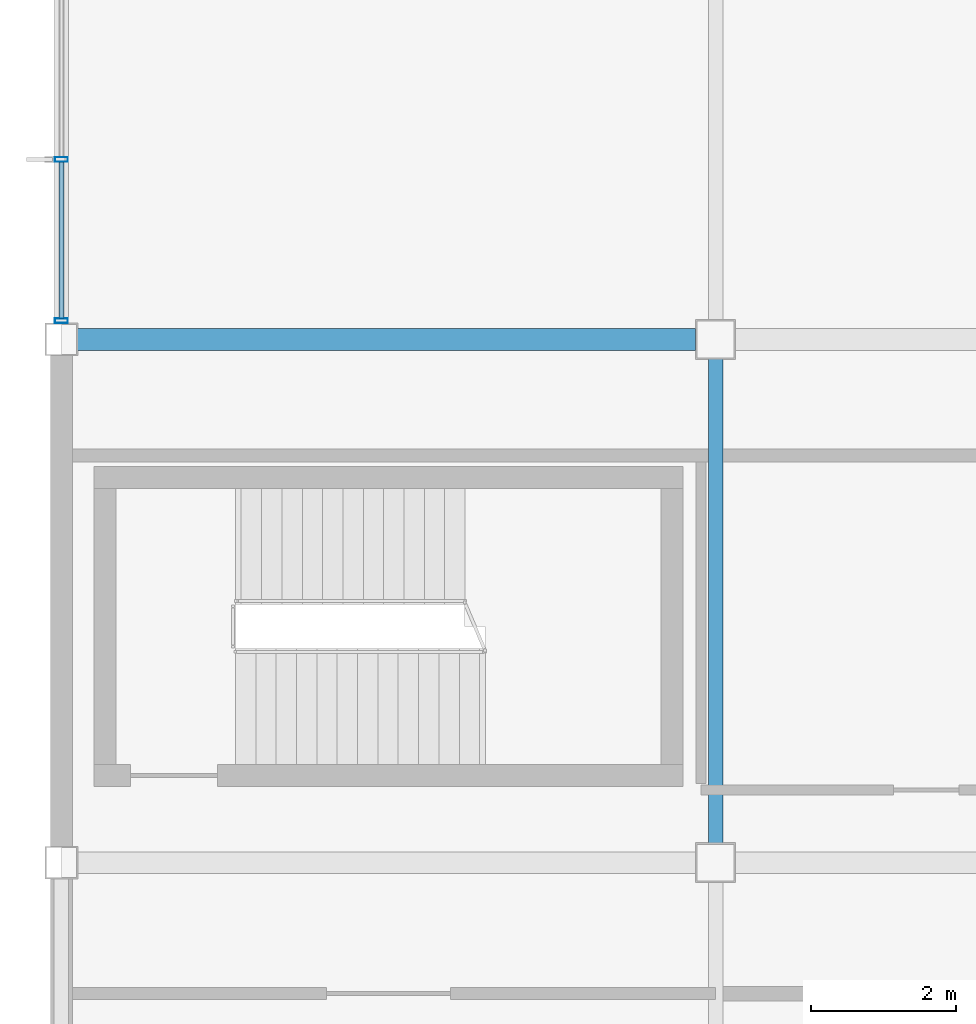
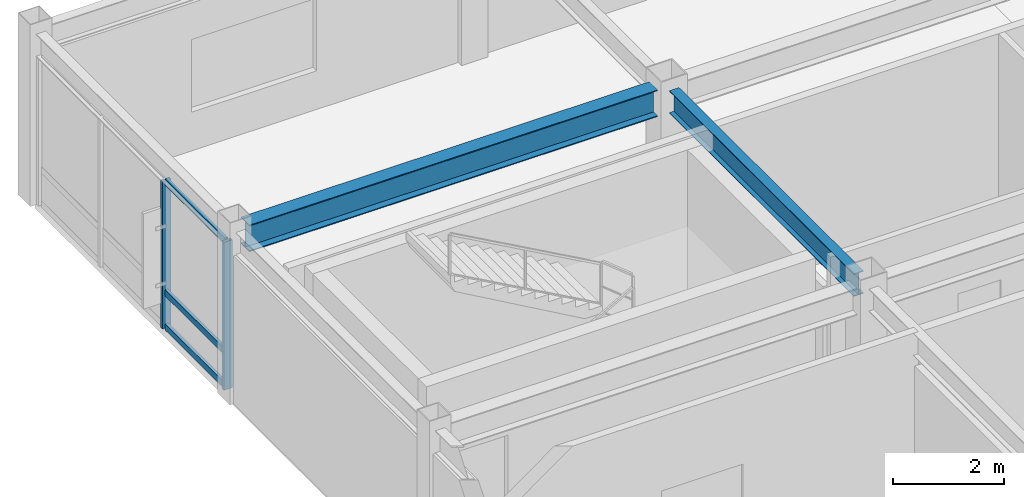
# One storey, part 15 of 122: 5 members, 2 beams, 1 element without a shape of its own.
"""IFC4 building model written with IfcOpenShell, lengths in metres."""

from ifc_helpers import new_model, si_unit, direction, frame, origin, origin_2d, place, context, subcontext, project, spatial, hollow_rectangle, i_section, extrude, material, material_profile, profile_set, type_object, element, aggregate, save


model = new_model("IFC4")

# Units and contexts
model_context = context("Model", 3, precision=1e-05, world=origin(), true_north=direction((0.0, 1.0)))
body_context = subcontext(model_context, "Body", "Model", "MODEL_VIEW")
ifc_project = project(units=[si_unit("LENGTHUNIT", "METRE"), si_unit("AREAUNIT", "SQUARE_METRE"), si_unit("VOLUMEUNIT", "CUBIC_METRE"), si_unit("PLANEANGLEUNIT", "RADIAN"), si_unit("MASSUNIT", "GRAM", prefix="KILO")], contexts=[model_context])

# Site, building, storey
site_placement = place(None, origin())
site = spatial("IfcSite", under=ifc_project, at=site_placement, CompositionType="ELEMENT")
building_placement = place(site_placement, origin())
building = spatial("IfcBuilding", under=site, at=building_placement, Name="Kazanami Central Library", CompositionType="ELEMENT")
storey_placement = place(building_placement, frame((0.0, 0.0, 4.800048828125)))
storey = spatial("IfcBuildingStorey", under=building, at=storey_placement, Name="L02", CompositionType="ELEMENT", Elevation=4.800048828125)

# Beams
ifc_material_1 = material(Name="Steel SN490B (325 MPa)", Category="steel")
ifc_material_profile_1 = material_profile(ifc_material_1, i_section(OverallWidth=0.300048828125, OverallDepth=0.587890625, WebThickness=0.011962890625, FlangeThickness=0.02001953125, at=origin_2d()), Name="H-588x300x12x20")
ifc_profile_set_1 = profile_set([ifc_material_profile_1], Name="Steel SN490B (325 MPa)")
beam_type_1 = type_object("IfcBeamType", Name="BM-G-X2", PredefinedType="BEAM", material=ifc_profile_set_1)
beam_1_placement = place(storey_placement, frame((0.222900390625, 28.800048828125, 3.4609375), z_axis=(1.0, 0.0, 0.0), x_axis=(0.0, 1.0, 0.0)))
element("IfcBeam", 1, at=beam_1_placement, inside=storey, type_object=beam_type_1, Name="Girder G-X2 L02 E/1-2", PredefinedType="BEAM", context=body_context, shape_type="SweptSolid", body=[
    extrude(i_section(OverallWidth=0.300048828125, OverallDepth=0.587890625, WebThickness=0.011962890625, FlangeThickness=0.02001953125, at=origin_2d()), origin(), (0.0, 0.0, 1.0), 8.504150390625),
])
ifc_material_profile_2 = material_profile(ifc_material_1, i_section(OverallWidth=0.199951171875, OverallDepth=0.5, WebThickness=0.010009765625, FlangeThickness=0.01611328125, at=origin_2d()), Name="H-500x200x10x16")
ifc_profile_set_2 = profile_set([ifc_material_profile_2], Name="Steel SN490B (325 MPa)")
beam_type_2 = type_object("IfcBeamType", Name="BM-G-Y2", PredefinedType="BEAM", material=ifc_profile_set_2)
beam_2_placement = place(storey_placement, frame((9.0, 21.873046875, 3.5048828125), z_axis=(0.0, 1.0, 0.0), x_axis=(-1.0, 0.0, 0.0)))
element("IfcBeam", 2, at=beam_2_placement, inside=storey, type_object=beam_type_2, Name="Girder G-Y2 L02 2/D-E", PredefinedType="BEAM", context=body_context, shape_type="SweptSolid", body=[
    extrude(i_section(OverallWidth=0.199951171875, OverallDepth=0.5, WebThickness=0.010009765625, FlangeThickness=0.01611328125, at=origin_2d()), origin(), (0.0, 0.0, 1.0), 6.654052734375),
])

# Curtain wall, members
ifc_material_2 = material(Name="Acid-Etched Low-E Laminated Glass", Category="glass")
curtain_wall_type = type_object("IfcCurtainWallType", Name="CW-6750x3255-M225", PredefinedType="USERDEFINED", material=ifc_material_2)
curtain_wall_placement = place(storey_placement, origin())
curtain_wall = element("IfcCurtainWall", 3, at=curtain_wall_placement, inside=storey, type_object=curtain_wall_type, Name="Unitised Curtain Wall CW-20 L02 W-1-04", ObjectType="UNITISED CURTAIN WALL", PredefinedType="USERDEFINED")
ifc_material_3 = material(Name="Anodised Aluminium A6063-T5", Category="aluminium")
ifc_material_profile_3 = material_profile(ifc_material_3, hollow_rectangle(XDim=0.06494140625, YDim=0.179931640625, WallThickness=0.00390625, at=origin_2d()), Name="ALU-MULL-65x180x4")
ifc_profile_set_3 = profile_set([ifc_material_profile_3], Name="Anodised Aluminium A6063-T5")
member_type_1 = type_object("IfcMemberType", Name="MEM-CW-M2", PredefinedType="MULLION", material=ifc_profile_set_3)
member_1_placement = place(storey_placement, frame((0.0, 29.0576171875, 0.0), z_axis=(0.0, 0.0, 1.0), x_axis=(0.0, 1.0, 0.0)))
member_1 = element("IfcMember", 4, at=member_1_placement, type_object=member_type_1, Name="CW-20 mullion 1", PredefinedType="MULLION", context=body_context, shape_type="SweptSolid", body=[
    extrude(hollow_rectangle(XDim=0.06494140625, YDim=0.179931640625, WallThickness=0.00390625, at=origin_2d()), origin(), (0.0, 0.0, 1.0), 3.2548828125),
])
member_2_placement = place(storey_placement, frame((0.0, 31.27490234375, 0.0), z_axis=(0.0, 0.0, 1.0), x_axis=(0.0, 1.0, 0.0)))
member_2 = element("IfcMember", 5, at=member_2_placement, type_object=member_type_1, Name="CW-20 mullion 2", PredefinedType="MULLION", context=body_context, shape_type="SweptSolid", body=[
    extrude(hollow_rectangle(XDim=0.06494140625, YDim=0.179931640625, WallThickness=0.00390625, at=origin_2d()), origin(), (0.0, 0.0, 1.0), 3.2548828125),
])
ifc_material_profile_4 = material_profile(ifc_material_3, hollow_rectangle(XDim=0.06494140625, YDim=0.139892578125, WallThickness=0.00390625, at=origin_2d()), Name="ALU-TRAN-65x140x4")
ifc_profile_set_4 = profile_set([ifc_material_profile_4], Name="Anodised Aluminium A6063-T5")
member_type_2 = type_object("IfcMemberType", Name="MEM-CW-T2", PredefinedType="USERDEFINED", material=ifc_profile_set_4)
member_3_placement = place(storey_placement, frame((0.0, 29.090087890625, 0.032470703125), z_axis=(0.0, 1.0, 0.0), x_axis=(-1.0, 0.0, 0.0)))
member_3 = element("IfcMember", 6, at=member_3_placement, type_object=member_type_2, Name="CW-20 transom 1.1", ObjectType="TRANSOM", PredefinedType="USERDEFINED", context=body_context, shape_type="SweptSolid", body=[
    extrude(hollow_rectangle(XDim=0.06494140625, YDim=0.139892578125, WallThickness=0.00390625, at=origin_2d()), origin(), (0.0, 0.0, 1.0), 2.15234375),
])
member_4_placement = place(storey_placement, frame((0.0, 29.090087890625, 0.780029296875), z_axis=(0.0, 1.0, 0.0), x_axis=(-1.0, 0.0, 0.0)))
member_4 = element("IfcMember", 7, at=member_4_placement, type_object=member_type_2, Name="CW-20 transom 1.2", ObjectType="TRANSOM", PredefinedType="USERDEFINED", context=body_context, shape_type="SweptSolid", body=[
    extrude(hollow_rectangle(XDim=0.06494140625, YDim=0.139892578125, WallThickness=0.00390625, at=origin_2d()), origin(), (0.0, 0.0, 1.0), 2.15234375),
])
member_5_placement = place(storey_placement, frame((0.0, 29.090087890625, 3.222412109375), z_axis=(0.0, 1.0, 0.0), x_axis=(-1.0, 0.0, 0.0)))
member_5 = element("IfcMember", 8, at=member_5_placement, type_object=member_type_2, Name="CW-20 transom 1.3", ObjectType="TRANSOM", PredefinedType="USERDEFINED", context=body_context, shape_type="SweptSolid", body=[
    extrude(hollow_rectangle(XDim=0.06494140625, YDim=0.139892578125, WallThickness=0.00390625, at=origin_2d()), origin(), (0.0, 0.0, 1.0), 2.15234375),
])
aggregate(curtain_wall, [member_1, member_2, member_3, member_4, member_5])

save(model, "model.ifc")
